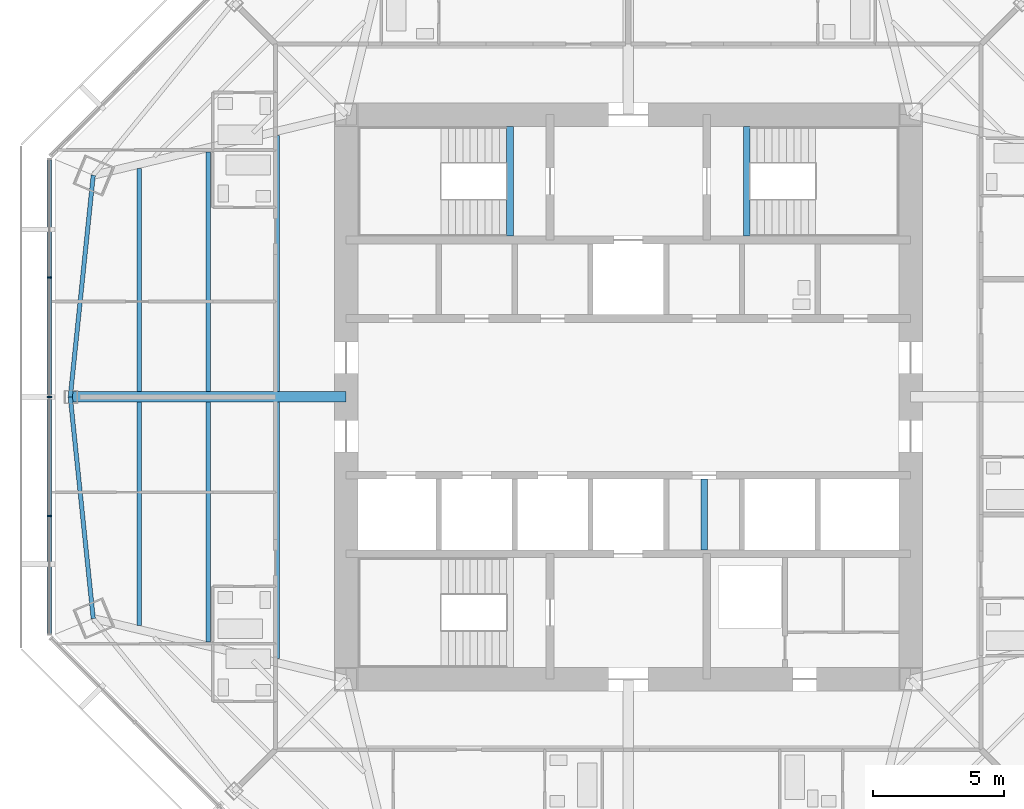
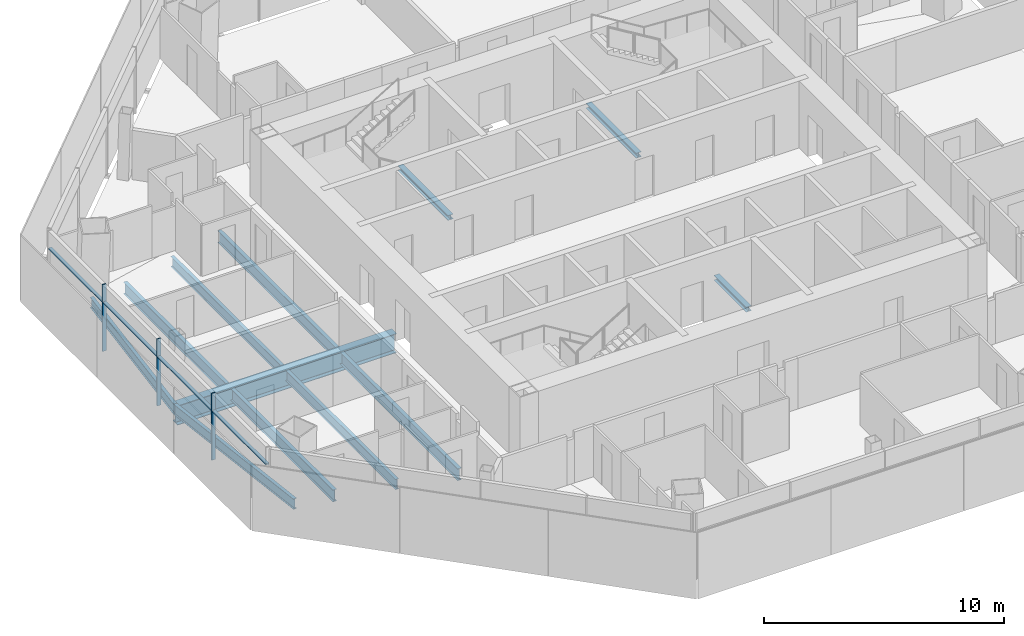
# One storey, part 3 of 15: 12 beams, 7 members, 1 element without a shape of its own.
"""IFC4 building model written with IfcOpenShell, lengths in metres."""

import ifcopenshell
import ifcopenshell.guid

model = None  # the IFC model being written
_history = None  # IfcOwnerHistory: only IFC2X3 demands one
_inside = {}  # id of a spatial element -> (the spatial element, [elements in it])
_under = {}  # id of a project, library or spatial element -> (it, [spatial elements below it])
_declared = {}  # id of a project -> (the project, [libraries it declares])
_typed = {}  # id of a type object -> (the type object, [elements of that type])
_made_of = {}  # id of a material, layer set ... -> (it, [elements and type objects made of it])


def new_model(schema):
    """Start an empty IFC model of exactly this schema.

    Asked for "IFC4X3", IfcOpenShell would pick the latest addendum, in which some entities
    have other attributes; the version numbers below select the first issue.
    IFC2X3 requires an IfcOwnerHistory on every rooted entity: one is made here for all.
    """
    global model, _history
    if schema == "IFC4X3":
        model = ifcopenshell.file(schema_version=(4, 3, 0, 0))
    else:
        model = ifcopenshell.file(schema=schema)
    _inside.clear()
    _under.clear()
    _declared.clear()
    _typed.clear()
    _made_of.clear()
    _history = None
    if model.schema == "IFC2X3":
        org = make("IfcOrganization", Name="unknown")
        user = make(
            "IfcPersonAndOrganization",
            ThePerson=make("IfcPerson", FamilyName="unknown"),
            TheOrganization=org,
        )
        app = make(
            "IfcApplication",
            ApplicationDeveloper=org,
            Version="unknown",
            ApplicationFullName="unknown",
            ApplicationIdentifier="unknown",
        )
        _history = make(
            "IfcOwnerHistory",
            OwningUser=user,
            OwningApplication=app,
            ChangeAction="ADDED",
            CreationDate=0,
        )
    return model


def make(cls, **values):
    """One entity of the class cls with the attributes given. An attribute that is None is left unset."""
    return model.create_entity(
        cls, **{name: value for name, value in values.items() if value is not None}
    )


def rooted(cls, **values):
    """An entity with a GlobalId (a new one), such as an element, a storey or a relation."""
    return make(cls, GlobalId=ifcopenshell.guid.new(), OwnerHistory=_history, **values)


def si_unit(unit_type, name, prefix=None):
    """IfcSIUnit, for example si_unit("LENGTHUNIT", "METRE", prefix="MILLI")."""
    return make("IfcSIUnit", UnitType=unit_type, Prefix=prefix, Name=name)


def assignment(units):
    """IfcUnitAssignment: the units of a project."""
    return None if units is None else make("IfcUnitAssignment", Units=units)


def point(xyz):
    """IfcCartesianPoint."""
    return None if xyz is None else make("IfcCartesianPoint", Coordinates=xyz)


def direction(xyz):
    """IfcDirection."""
    return None if xyz is None else make("IfcDirection", DirectionRatios=xyz)


def frame(location, z_axis=None, x_axis=None):
    """IfcAxis2Placement3D, a coordinate frame: its origin and axes. An axis left out is left unset."""
    return make(
        "IfcAxis2Placement3D",
        Location=point(location),
        Axis=direction(z_axis),
        RefDirection=direction(x_axis),
    )


def frame_2d(location, x_axis=None):
    """IfcAxis2Placement2D, a coordinate frame in the plane: its origin and x axis."""
    return make(
        "IfcAxis2Placement2D", Location=point(location), RefDirection=direction(x_axis)
    )


def origin():
    """The frame at (0, 0, 0) with its axes left unset."""
    return frame((0.0, 0.0, 0.0))


def origin_2d():
    """The frame at (0, 0) in the plane with its x axis left unset."""
    return frame_2d((0.0, 0.0))


def place(relative_to, where):
    """IfcLocalPlacement: puts the frame where relative to a parent placement (None: the world)."""
    return make(
        "IfcLocalPlacement", PlacementRelTo=relative_to, RelativePlacement=where
    )


def context(
    kind, dimensions, precision=None, world=None, true_north=None, identifier=None
):
    """IfcGeometricRepresentationContext, for example the 3D "Model" context."""
    return make(
        "IfcGeometricRepresentationContext",
        ContextIdentifier=identifier,
        ContextType=kind,
        CoordinateSpaceDimension=dimensions,
        Precision=precision,
        WorldCoordinateSystem=world,
        TrueNorth=true_north,
    )


def subcontext(parent, identifier, kind, view, scale=None):
    """IfcGeometricRepresentationSubContext, for example "Body" below "Model"."""
    return make(
        "IfcGeometricRepresentationSubContext",
        ContextIdentifier=identifier,
        ContextType=kind,
        ParentContext=parent,
        TargetScale=scale,
        TargetView=view,
    )


def project(units=None, contexts=None):
    """IfcProject with its units and contexts."""
    return rooted(
        "IfcProject",
        Name="project",
        RepresentationContexts=contexts,
        UnitsInContext=assignment(units),
    )


def spatial(cls, under=None, at=None, **own):
    """A site, building, storey or space (cls), placed at a placement, below another one or the project."""
    s = rooted(cls, ObjectPlacement=at, **own)
    if under is not None:
        _under.setdefault(under.id(), (under, []))[1].append(s)
    return s


def profile(cls, at=None, kind="AREA", **sizes):
    """A parametric profile (cls). Its sizes go by their IFC names, for example OverallWidth=200.0."""
    return make(cls, ProfileType=kind, Position=at, **sizes)


def rectangle(**sizes):
    """IfcRectangleProfileDef."""
    return profile("IfcRectangleProfileDef", **sizes)


def i_section(**sizes):
    """IfcIShapeProfileDef."""
    return profile("IfcIShapeProfileDef", **sizes)


def extrude(swept, where, along, depth):
    """IfcExtrudedAreaSolid: the profile swept, set in the frame where, extruded along a direction by depth."""
    return make(
        "IfcExtrudedAreaSolid",
        SweptArea=swept,
        Position=where,
        ExtrudedDirection=direction(along),
        Depth=depth,
    )


def shape(context_of_items, identifier, shape_type, items):
    """IfcShapeRepresentation: the items that make up one representation, for example the "Body"."""
    return make(
        "IfcShapeRepresentation",
        ContextOfItems=context_of_items,
        RepresentationIdentifier=identifier,
        RepresentationType=shape_type,
        Items=items,
    )


def source(mapping_origin, context_of_items, identifier, shape_type, items):
    """IfcRepresentationMap: a shape defined once, which mapped items show again and again."""
    return make(
        "IfcRepresentationMap",
        MappingOrigin=mapping_origin,
        MappedRepresentation=shape(context_of_items, identifier, shape_type, items),
    )


def transform(
    local_origin,
    x_axis=None,
    y_axis=None,
    z_axis=None,
    scale=None,
    scale2=None,
    scale3=None,
    uniform=True,
):
    """IfcCartesianTransformationOperator3D, or its non-uniform kind. x_axis, y_axis, z_axis: its Axis1, 2, 3."""
    if uniform:
        return make(
            "IfcCartesianTransformationOperator3D",
            Axis1=direction(x_axis),
            Axis2=direction(y_axis),
            LocalOrigin=point(local_origin),
            Scale=scale,
            Axis3=direction(z_axis),
        )
    return make(
        "IfcCartesianTransformationOperator3DnonUniform",
        Axis1=direction(x_axis),
        Axis2=direction(y_axis),
        LocalOrigin=point(local_origin),
        Scale=scale,
        Axis3=direction(z_axis),
        Scale2=scale2,
        Scale3=scale3,
    )


def mapped(mapping_source, mapping_target):
    """IfcMappedItem: shows the shape of a source again, moved by a transform."""
    return make(
        "IfcMappedItem", MappingSource=mapping_source, MappingTarget=mapping_target
    )


def material(Name=None, Category=None):
    """IfcMaterial."""
    return make("IfcMaterial", Name=Name, Category=Category)


def material_profile(
    of_material, cross_section, Name=None, Category=None, Priority=None
):
    """IfcMaterialProfile: a cross section and its material."""
    return make(
        "IfcMaterialProfile",
        Name=Name,
        Material=of_material,
        Profile=cross_section,
        Priority=Priority,
        Category=Category,
    )


def profile_set(profiles, Name=None, composite=None):
    """IfcMaterialProfileSet."""
    return make(
        "IfcMaterialProfileSet",
        Name=Name,
        MaterialProfiles=profiles,
        CompositeProfile=composite,
    )


def made_of(thing, what):
    """Note that an element or type object is made of a material, layer set ...; save() writes the relation."""
    if what is not None:
        _made_of.setdefault(what.id(), (what, []))[1].append(thing)
    return thing


def type_object(cls, material=None, **own):
    """A type object (cls), such as IfcWallType, which elements share."""
    return made_of(rooted(cls, **own), material)


def type_shapes(of_type, sources):
    """Give a type object the sources (RepresentationMaps) that its elements show as mapped items."""
    of_type.RepresentationMaps = sources


def element(
    cls,
    number,
    at=None,
    inside=None,
    cuts=None,
    type_object=None,
    material=None,
    context=None,
    identifier="Body",
    shape_type=None,
    held_by="IfcProductDefinitionShape",
    body=None,
    shapes=None,
    **own,
):
    """One element of the class cls, such as IfcWall. Its Tag is "e" and its number.

    at: its placement. inside: the storey or other place that contains it. cuts: it is an
    opening in that element (IfcRelVoidsElement). A single representation is given by context,
    identifier, shape_type and body (its items); several are given by shapes. held_by: the class
    of the entity that holds the representations. save() writes the other relations.
    """
    e = rooted(cls, Tag="e%d" % number, ObjectPlacement=at, **own)
    if body is not None:
        shapes = [shape(context, identifier, shape_type, body)]
    if shapes is not None:
        e.Representation = make(held_by, Representations=shapes)
    if inside is not None:
        _inside.setdefault(inside.id(), (inside, []))[1].append(e)
    if cuts is not None:
        rooted(
            "IfcRelVoidsElement", RelatingBuildingElement=cuts, RelatedOpeningElement=e
        )
    if type_object is not None:
        _typed.setdefault(type_object.id(), (type_object, []))[1].append(e)
    return made_of(e, material)


def aggregate(whole, parts):
    """IfcRelAggregates: a whole, such as a stair, and the parts it consists of."""
    return rooted("IfcRelAggregates", RelatingObject=whole, RelatedObjects=parts)


def save(model, path):
    """Write the relations noted so far, then the file.

    IfcRelAggregates (storeys below a building ...), IfcRelContainedInSpatialStructure (elements
    in a storey), IfcRelDefinesByType, IfcRelAssociatesMaterial and IfcRelDeclares: one each for
    every whole, place, type object, material and project.
    """
    for whole, parts in _under.values():
        aggregate(whole, parts)
    for where, things in _inside.values():
        rooted(
            "IfcRelContainedInSpatialStructure",
            RelatedElements=things,
            RelatingStructure=where,
        )
    for kind, things in _typed.values():
        rooted("IfcRelDefinesByType", RelatedObjects=things, RelatingType=kind)
    for what, things in _made_of.values():
        rooted("IfcRelAssociatesMaterial", RelatedObjects=things, RelatingMaterial=what)
    for by, libraries in _declared.values():
        rooted("IfcRelDeclares", RelatingContext=by, RelatedDefinitions=libraries)
    model.write(path)


model = new_model("IFC4")

# Units and contexts
model_context = context("Model", 3, precision=1e-05, world=origin(), true_north=direction((0.0, 1.0)))
body_context = subcontext(model_context, "Body", "Model", "MODEL_VIEW")
ifc_project = project(units=[si_unit("LENGTHUNIT", "METRE"), si_unit("AREAUNIT", "SQUARE_METRE"), si_unit("VOLUMEUNIT", "CUBIC_METRE"), si_unit("PLANEANGLEUNIT", "RADIAN"), si_unit("MASSUNIT", "GRAM", prefix="KILO")], contexts=[model_context])

# Site, building, storey
site_placement = place(None, origin())
site = spatial("IfcSite", under=ifc_project, at=site_placement, CompositionType="ELEMENT")
building_placement = place(site_placement, origin())
building = spatial("IfcBuilding", under=site, at=building_placement, Name="Mashrafa Tower", CompositionType="ELEMENT")
storey_placement = place(building_placement, frame((0.0, 0.0, 207.39990234375)))
storey = spatial("IfcBuildingStorey", under=building, at=storey_placement, Name="L47", CompositionType="ELEMENT", Elevation=207.39990234375)

# Beams
ifc_material_1 = material(Name="Steel ASTM A992", Category="steel")
ifc_material_profile_1 = material_profile(ifc_material_1, i_section(OverallWidth=0.1650390625, OverallDepth=0.52587890625, WebThickness=0.0087890625, FlangeThickness=0.011474609375, FilletRadius=0.0126953125, at=origin_2d()), Name="W21X44")
ifc_profile_set_1 = profile_set([ifc_material_profile_1], Name="Steel ASTM A992")
beam_type_1 = type_object("IfcBeamType", Name="Beam W21X44", PredefinedType="BEAM", material=ifc_profile_set_1)
for number, where, z_axis, x_axis, name in (
    (1, (-16.07666015625, -9.378662109375, -0.462890625), (0.0, 1.0, 0.0), (-1.0, 0.0, 0.0), "Floor beam L47 004"),
    (2, (-16.07666015625, 0.20068359375, -0.462890625), (0.0, 1.0, 0.0), (-1.0, 0.0, 0.0), "Floor beam L47 005"),
):
    element("IfcBeam", number, at=place(storey_placement, frame(where, z_axis=z_axis, x_axis=x_axis)), inside=storey, type_object=beam_type_1, Name=name, PredefinedType="BEAM", context=body_context, shape_type="SweptSolid", body=[
        extrude(i_section(OverallWidth=0.1650390625, OverallDepth=0.52587890625, WebThickness=0.0087890625, FlangeThickness=0.011474609375, FilletRadius=0.0126953125, at=origin_2d()), origin(), (0.0, 0.0, 1.0), 9.177978515625),
    ])
for number, where, z_axis, x_axis, name in (
    (3, (-21.353271484375, 0.0, -0.462890625), (0.102992932153, -0.994682087869, 0.0), (0.994682087869, 0.102992932153, 0.0), "Spandrel beam L47 057"),
    (4, (-20.47509765625, 8.481201171875, -0.462890625), (-0.102992932153, -0.994682087869, 0.0), (0.994682087869, -0.102992932153, 0.0), "Spandrel beam L47 059"),
):
    element("IfcBeam", number, at=place(storey_placement, frame(where, z_axis=z_axis, x_axis=x_axis)), inside=storey, type_object=beam_type_1, Name=name, PredefinedType="BEAM", context=body_context, shape_type="SweptSolid", body=[
        extrude(i_section(OverallWidth=0.1650390625, OverallDepth=0.52587890625, WebThickness=0.0087890625, FlangeThickness=0.011474609375, FilletRadius=0.0126953125, at=origin_2d()), origin(), (0.0, 0.0, 1.0), 8.526611328125),
    ])
ifc_material_2 = material(Name="Steel ASTM A992", Category="steel")
ifc_material_profile_2 = material_profile(ifc_material_2, i_section(OverallWidth=0.177978515625, OverallDepth=0.599365234375, WebThickness=0.010009765625, FlangeThickness=0.012939453125, FilletRadius=0.012939453125, at=origin_2d()), Name="W24X55")
ifc_profile_set_2 = profile_set([ifc_material_profile_2], Name="Steel ASTM A992")
beam_type_2 = type_object("IfcBeamType", Name="Beam W24X55", PredefinedType="BEAM", material=ifc_profile_set_2)
for number, where, z_axis, x_axis, name in (
    (5, (-18.715087890625, -8.746337890625, -0.49951171875), (0.0, 1.0, 0.0), (-1.0, 0.0, 0.0), "Floor beam L47 001"),
    (6, (-18.715087890625, 0.20068359375, -0.49951171875), (0.0, 1.0, 0.0), (-1.0, 0.0, 0.0), "Floor beam L47 002"),
):
    element("IfcBeam", number, at=place(storey_placement, frame(where, z_axis=z_axis, x_axis=x_axis)), inside=storey, type_object=beam_type_2, Name=name, PredefinedType="BEAM", context=body_context, shape_type="SweptSolid", body=[
        extrude(i_section(OverallWidth=0.177978515625, OverallDepth=0.599365234375, WebThickness=0.010009765625, FlangeThickness=0.012939453125, FilletRadius=0.012939453125, at=origin_2d()), origin(), (0.0, 0.0, 1.0), 8.545654296875),
    ])
for number, where, z_axis, x_axis, name in (
    (7, (-13.438232421875, -10.010986328125, -0.49951171875), (0.0, 1.0, 0.0), (-1.0, 0.0, 0.0), "Floor beam L47 009"),
    (8, (-13.438232421875, 0.20068359375, -0.49951171875), (0.0, 1.0, 0.0), (-1.0, 0.0, 0.0), "Floor beam L47 010"),
):
    element("IfcBeam", number, at=place(storey_placement, frame(where, z_axis=z_axis, x_axis=x_axis)), inside=storey, type_object=beam_type_2, Name=name, PredefinedType="BEAM", context=body_context, shape_type="SweptSolid", body=[
        extrude(i_section(OverallWidth=0.177978515625, OverallDepth=0.599365234375, WebThickness=0.010009765625, FlangeThickness=0.012939453125, FilletRadius=0.012939453125, at=origin_2d()), origin(), (0.0, 0.0, 1.0), 9.810302734375),
    ])
ifc_material_3 = material(Name="Steel ASTM A992", Category="steel")
ifc_material_profile_3 = material_profile(ifc_material_3, i_section(OverallWidth=0.4013671875, OverallDepth=0.98291015625, WebThickness=0.0166015625, FlangeThickness=0.027099609375, FilletRadius=0.0126953125, at=origin_2d()), Name="W40X199")
ifc_profile_set_3 = profile_set([ifc_material_profile_3], Name="Steel ASTM A992")
beam_type_3 = type_object("IfcBeamType", Name="Beam W40X199", PredefinedType="BEAM", material=ifc_profile_set_3)
beam_1_placement = place(storey_placement, frame((-10.800048828125, 0.0, -0.69140625), z_axis=(-1.0, 0.0, 0.0), x_axis=(0.0, -1.0, 0.0)))
element("IfcBeam", 9, at=beam_1_placement, inside=storey, type_object=beam_type_3, Name="Radial girder L47 044", PredefinedType="BEAM", context=body_context, shape_type="SweptSolid", body=[
    extrude(i_section(OverallWidth=0.4013671875, OverallDepth=0.98291015625, WebThickness=0.0166015625, FlangeThickness=0.027099609375, FilletRadius=0.0126953125, at=origin_2d()), origin(), (0.0, 0.0, 1.0), 10.55322265625),
])
ifc_material_4 = material(Name="Steel ASTM A992", Category="steel")
ifc_material_profile_4 = material_profile(ifc_material_4, i_section(OverallWidth=0.25390625, OverallDepth=0.25390625, WebThickness=0.008544921875, FlangeThickness=0.01416015625, FilletRadius=0.010009765625, at=origin_2d()), Name="W10X49")
ifc_profile_set_4 = profile_set([ifc_material_profile_4], Name="Steel ASTM A992")
beam_type_4 = type_object("IfcBeamType", Name="Hoistway beam W10X49", PredefinedType="BEAM", material=ifc_profile_set_4)
beam_2_placement = place(storey_placement, frame((2.89990234375, -5.85009765625, -0.326904296875), z_axis=(0.0, 1.0, 0.0), x_axis=(-1.0, 0.0, 0.0)))
element("IfcBeam", 10, at=beam_2_placement, inside=storey, type_object=beam_type_4, Name="Hoistway beam L47 07", PredefinedType="BEAM", context=body_context, shape_type="SweptSolid", body=[
    extrude(i_section(OverallWidth=0.25390625, OverallDepth=0.25390625, WebThickness=0.008544921875, FlangeThickness=0.01416015625, FilletRadius=0.010009765625, at=origin_2d()), origin(), (0.0, 0.0, 1.0), 2.7001953125),
])
for number, where, z_axis, x_axis, name in (
    (11, (-4.530029296875, 6.14990234375, -0.326904296875), (0.0, 1.0, 0.0), (-1.0, 0.0, 0.0), "Stair S1 landing beam L47"),
    (12, (4.530029296875, 6.14990234375, -0.326904296875), (0.0, 1.0, 0.0), (-1.0, 0.0, 0.0), "Stair S2 landing beam L47"),
):
    element("IfcBeam", number, at=place(storey_placement, frame(where, z_axis=z_axis, x_axis=x_axis)), inside=storey, type_object=beam_type_4, Name=name, PredefinedType="BEAM", context=body_context, shape_type="SweptSolid", body=[
        extrude(i_section(OverallWidth=0.25390625, OverallDepth=0.25390625, WebThickness=0.008544921875, FlangeThickness=0.01416015625, FilletRadius=0.010009765625, at=origin_2d()), origin(), (0.0, 0.0, 1.0), 4.2001953125),
    ])

# Curtain wall, members
ifc_material_5 = material(Name="Unitised aluminium curtain wall", Category="aluminium")
curtain_wall_type = type_object("IfcCurtainWallType", Name="Apartment curtain wall, zone 3 CW-C 180 deep", PredefinedType="NOTDEFINED", material=ifc_material_5)
curtain_wall_placement = place(storey_placement, origin())
curtain_wall = element("IfcCurtainWall", 13, at=curtain_wall_placement, inside=storey, type_object=curtain_wall_type, Name="Apartment curtain wall, zone 3 L47 west", PredefinedType="NOTDEFINED")
ifc_material_6 = material(Name="Extruded aluminium mullion", Category="aluminium")
ifc_material_profile_5 = material_profile(ifc_material_6, rectangle(XDim=0.179931640625, YDim=0.06005859375, at=origin_2d()), Name="Mullion 60x180")
ifc_profile_set_5 = profile_set([ifc_material_profile_5], Name="Extruded aluminium mullion")
member_type_1 = type_object("IfcMemberType", Name="Mullion CW-C 60 x 180", PredefinedType="MULLION", material=ifc_profile_set_5)
shared_shape_1 = source(origin(), body_context, "Body", "SweptSolid", [
    extrude(rectangle(XDim=0.179931640625, YDim=0.06005859375, at=origin_2d()), origin(), (0.0, 0.0, 1.0), 3.400146484375),
])
type_shapes(member_type_1, [shared_shape_1])
member_1_placement = place(storey_placement, frame((-22.147705078125, 4.563232421875, 0.0), z_axis=(0.0, 0.0, 1.0), x_axis=(1.0, 0.0, 0.0)))
member_1 = element("IfcMember", 14, at=member_1_placement, type_object=member_type_1, Name="CW-C mullion 2", PredefinedType="MULLION", context=body_context, shape_type="MappedRepresentation", body=[
    mapped(shared_shape_1, transform((0.0, 0.0, 0.0))),
])
member_2_placement = place(storey_placement, frame((-22.147705078125, 0.0, 0.0), z_axis=(0.0, 0.0, 1.0), x_axis=(1.0, 0.0, 0.0)))
member_2 = element("IfcMember", 15, at=member_2_placement, type_object=member_type_1, Name="CW-C mullion 3", PredefinedType="MULLION", context=body_context, shape_type="MappedRepresentation", body=[
    mapped(shared_shape_1, transform((0.0, 0.0, 0.0))),
])
member_3_placement = place(storey_placement, frame((-22.147705078125, -4.563232421875, 0.0), z_axis=(0.0, 0.0, 1.0), x_axis=(1.0, 0.0, 0.0)))
member_3 = element("IfcMember", 16, at=member_3_placement, type_object=member_type_1, Name="CW-C mullion 4", PredefinedType="MULLION", context=body_context, shape_type="MappedRepresentation", body=[
    mapped(shared_shape_1, transform((0.0, 0.0, 0.0))),
])
ifc_material_7 = material(Name="Extruded aluminium transom", Category="aluminium")
ifc_material_profile_6 = material_profile(ifc_material_7, rectangle(XDim=0.14404296875, YDim=0.074951171875, at=origin_2d()), Name="Transom 75x144")
ifc_profile_set_6 = profile_set([ifc_material_profile_6], Name="Extruded aluminium transom")
member_type_2 = type_object("IfcMemberType", Name="Transom CW-C 75 x 144", PredefinedType="MULLION", material=ifc_profile_set_6)
shared_shape_2 = source(origin(), body_context, "Body", "SweptSolid", [
    extrude(rectangle(XDim=0.14404296875, YDim=0.074951171875, at=origin_2d()), origin(), (0.0, 0.0, 1.0), 4.473388671875),
])
member_4_placement = place(storey_placement, frame((-22.147705078125, 9.066650390625, 2.5), z_axis=(0.0, -1.0, 0.0), x_axis=(1.0, 0.0, 0.0)))
member_4 = element("IfcMember", 17, at=member_4_placement, type_object=member_type_2, Name="CW-C transom 1", PredefinedType="MULLION", context=body_context, shape_type="MappedRepresentation", body=[
    mapped(shared_shape_2, transform((0.0, 0.0, 0.0))),
])
member_5_placement = place(storey_placement, frame((-22.147705078125, -4.59326171875, 2.5), z_axis=(0.0, -1.0, 0.0), x_axis=(1.0, 0.0, 0.0)))
member_5 = element("IfcMember", 18, at=member_5_placement, type_object=member_type_2, Name="CW-C transom 4", PredefinedType="MULLION", context=body_context, shape_type="MappedRepresentation", body=[
    mapped(shared_shape_2, transform((0.0, 0.0, 0.0))),
])
shared_shape_3 = source(origin(), body_context, "Body", "SweptSolid", [
    extrude(rectangle(XDim=0.14404296875, YDim=0.074951171875, at=origin_2d()), origin(), (0.0, 0.0, 1.0), 4.503173828125),
])
type_shapes(member_type_2, [shared_shape_2, shared_shape_3])
member_6_placement = place(storey_placement, frame((-22.147705078125, 4.533203125, 2.5), z_axis=(0.0, -1.0, 0.0), x_axis=(1.0, 0.0, 0.0)))
member_6 = element("IfcMember", 19, at=member_6_placement, type_object=member_type_2, Name="CW-C transom 2", PredefinedType="MULLION", context=body_context, shape_type="MappedRepresentation", body=[
    mapped(shared_shape_3, transform((0.0, 0.0, 0.0))),
])
member_7_placement = place(storey_placement, frame((-22.147705078125, -0.030029296875, 2.5), z_axis=(0.0, -1.0, 0.0), x_axis=(1.0, 0.0, 0.0)))
member_7 = element("IfcMember", 20, at=member_7_placement, type_object=member_type_2, Name="CW-C transom 3", PredefinedType="MULLION", context=body_context, shape_type="MappedRepresentation", body=[
    mapped(shared_shape_3, transform((0.0, 0.0, 0.0))),
])
aggregate(curtain_wall, [member_1, member_2, member_3, member_4, member_6, member_7, member_5])

save(model, "model.ifc")
